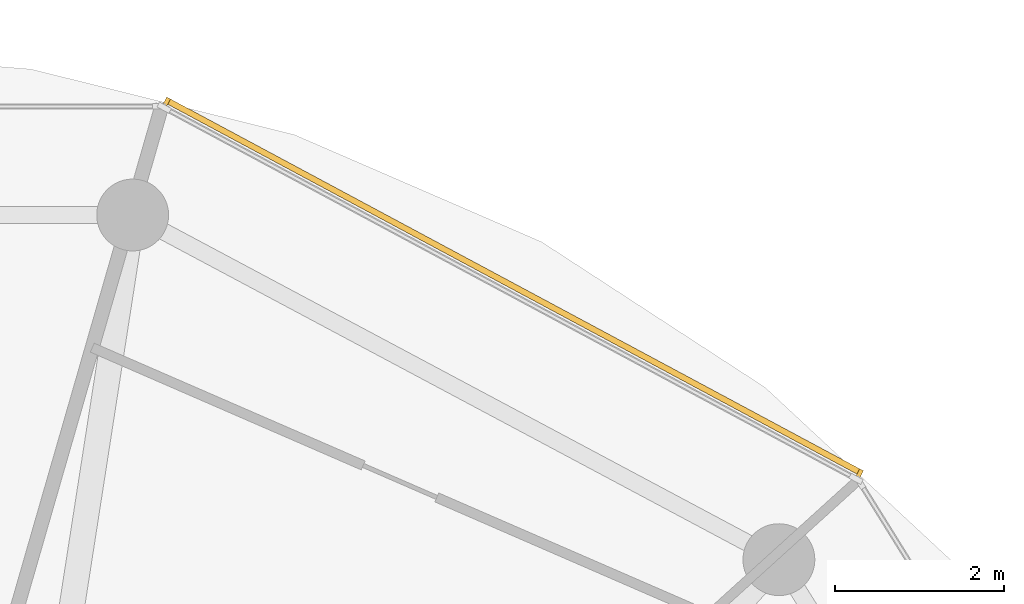
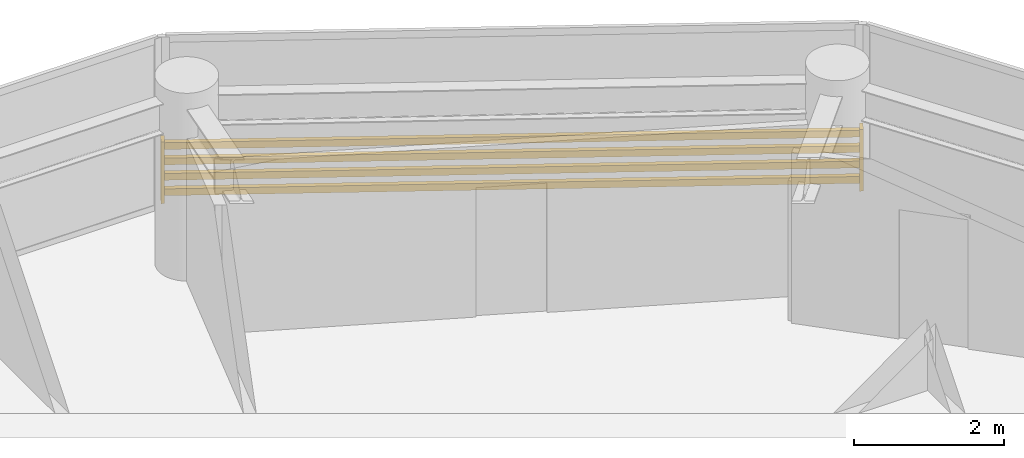
# One storey, part 24 of 24: 1 shading device.
"""IFC4 building model written with IfcOpenShell, lengths in metres."""

from ifc_helpers import new_model, si_unit, direction, frame, origin, origin_2d, place, context, subcontext, project, spatial, rectangle, extrude, source, transform, mapped, material, type_object, type_shapes, element, save


model = new_model("IFC4")

# Units and contexts
model_context = context("Model", 3, precision=1e-05, world=origin(), true_north=direction((0.0, 1.0)))
body_context = subcontext(model_context, "Body", "Model", "MODEL_VIEW")
ifc_project = project(units=[si_unit("LENGTHUNIT", "METRE"), si_unit("AREAUNIT", "SQUARE_METRE"), si_unit("VOLUMEUNIT", "CUBIC_METRE"), si_unit("PLANEANGLEUNIT", "RADIAN"), si_unit("MASSUNIT", "GRAM", prefix="KILO")], contexts=[model_context])

# Site, building, storey
site_placement = place(None, origin())
site = spatial("IfcSite", under=ifc_project, at=site_placement, CompositionType="ELEMENT")
building_placement = place(site_placement, origin())
building = spatial("IfcBuilding", under=site, at=building_placement, Name="Norrkilde Senior Care Towers", CompositionType="ELEMENT")
storey_placement = place(building_placement, frame((0.0, 0.0, 90.14990234375)))
storey = spatial("IfcBuildingStorey", under=building, at=storey_placement, Name="L27", CompositionType="ELEMENT", Elevation=90.14990234375)

# Shading device
ifc_material = material(Name="Architectural Terracotta", Category="masonry")
shading_device_type = type_object("IfcShadingDeviceType", Name="Horizontal Terracotta Baguette Rack", PredefinedType="USERDEFINED", material=ifc_material)
shared_shape = source(origin(), body_context, "Body", "SweptSolid", [
    extrude(rectangle(XDim=0.070068359375, YDim=0.110107421875, at=origin_2d()), frame((0.0, 0.090087890625, 0.125), z_axis=(1.0, 0.0, 0.0), x_axis=(0.0, 1.0, 0.0)), (0.0, 0.0, 1.0), 9.3505859375),
    extrude(rectangle(XDim=0.070068359375, YDim=0.110107421875, at=origin_2d()), frame((0.0, 0.090087890625, 0.375), z_axis=(1.0, 0.0, 0.0), x_axis=(0.0, 1.0, 0.0)), (0.0, 0.0, 1.0), 9.3505859375),
    extrude(rectangle(XDim=0.070068359375, YDim=0.110107421875, at=origin_2d()), frame((0.0, 0.090087890625, 0.625), z_axis=(1.0, 0.0, 0.0), x_axis=(0.0, 1.0, 0.0)), (0.0, 0.0, 1.0), 9.3505859375),
    extrude(rectangle(XDim=0.070068359375, YDim=0.110107421875, at=origin_2d()), frame((0.0, 0.090087890625, 0.875), z_axis=(1.0, 0.0, 0.0), x_axis=(0.0, 1.0, 0.0)), (0.0, 0.0, 1.0), 9.3505859375),
    extrude(rectangle(XDim=0.050048828125, YDim=0.1552734375, at=origin_2d()), frame((0.02490234375, 0.047607421875, 0.0)), (0.0, 0.0, 1.0), 1.0),
    extrude(rectangle(XDim=0.050048828125, YDim=0.1552734375, at=origin_2d()), frame((9.32568359375, 0.047607421875, 0.0)), (0.0, 0.0, 1.0), 1.0),
])
type_shapes(shading_device_type, [shared_shape])
shading_device_placement = place(storey_placement, frame((30.70703125, 16.498046875, 0.080078125), z_axis=(0.0, 0.0, 1.0), x_axis=(0.881174934726, -0.472767624021, 0.0)))
element("IfcShadingDevice", 1, at=shading_device_placement, inside=storey, type_object=shading_device_type, Name="L27 Drum E Terracotta Baguette Screen 01", ObjectType="BAGUETTE", PredefinedType="USERDEFINED", context=body_context, shape_type="MappedRepresentation", body=[
    mapped(shared_shape, transform((0.0, 0.0, 0.0), x_axis=(1.0, 0.0, 0.0), y_axis=(0.0, 1.0, 0.0), z_axis=(0.0, 0.0, 1.0), scale=1.0)),
])

save(model, "model.ifc")
